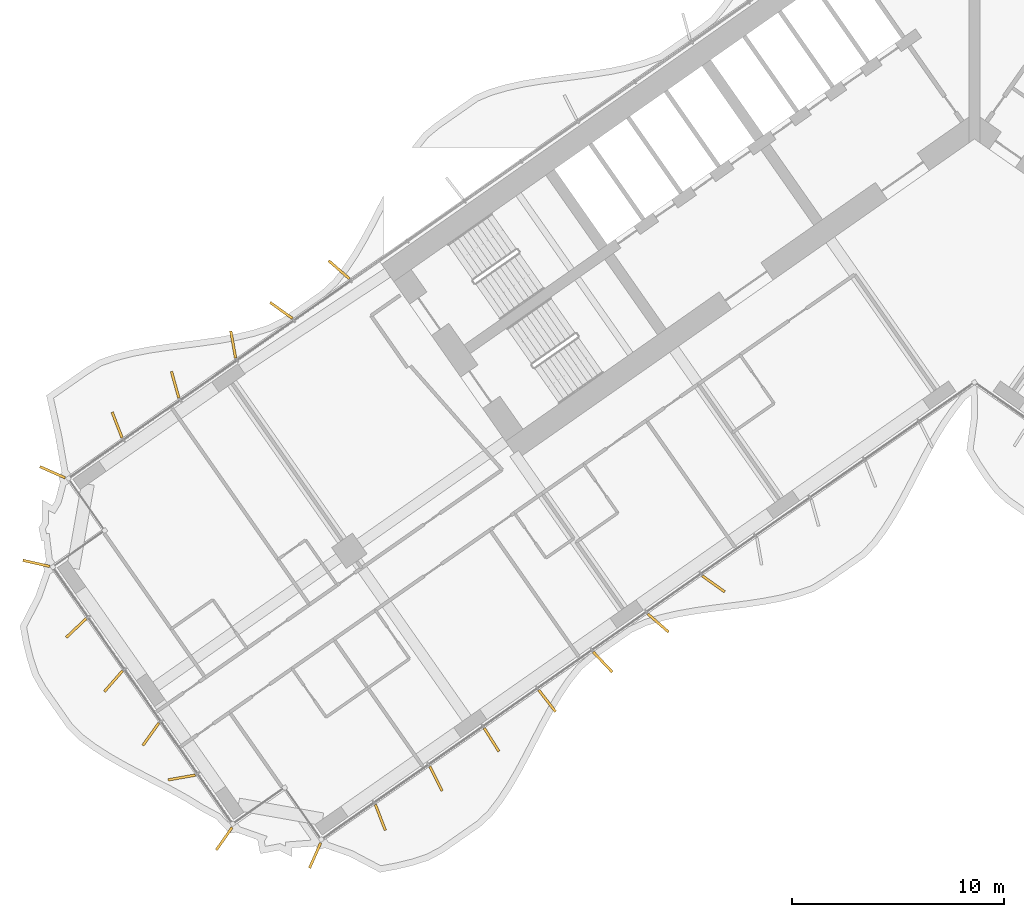
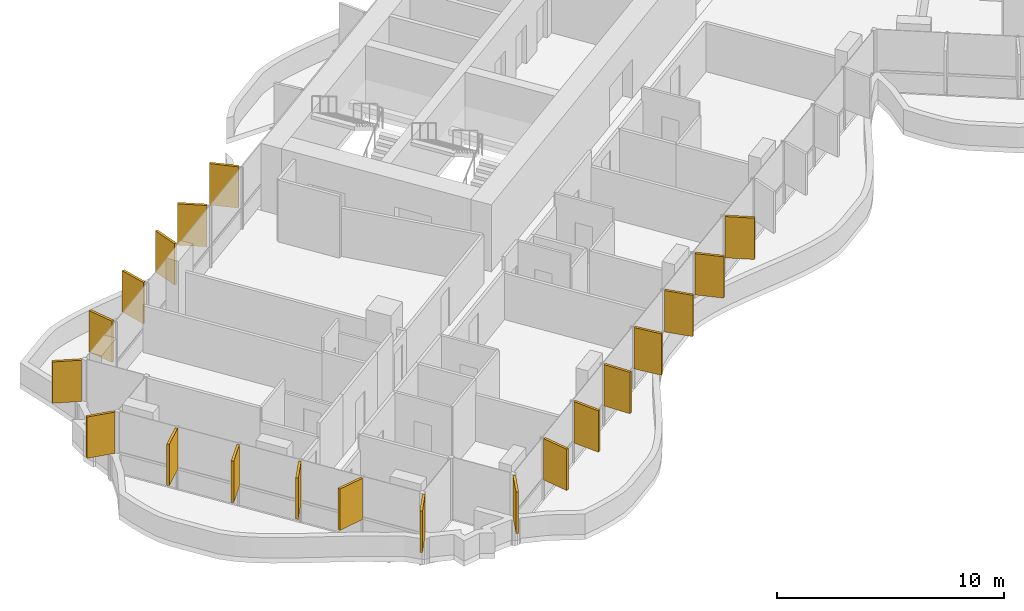
# One storey, part 19 of 24: 20 shading devices.
"""IFC4 building model written with IfcOpenShell, lengths in metres."""

from ifc_helpers import new_model, si_unit, direction, frame, origin, origin_2d, place, context, subcontext, project, spatial, rectangle, extrude, material, layer, layer_set, type_object, element, save


model = new_model("IFC4")

# Units and contexts
model_context = context("Model", 3, precision=1e-05, world=origin(), true_north=direction((0.0, 1.0)))
body_context = subcontext(model_context, "Body", "Model", "MODEL_VIEW")
ifc_project = project(units=[si_unit("LENGTHUNIT", "METRE"), si_unit("AREAUNIT", "SQUARE_METRE"), si_unit("VOLUMEUNIT", "CUBIC_METRE"), si_unit("PLANEANGLEUNIT", "RADIAN"), si_unit("MASSUNIT", "GRAM", prefix="KILO")], contexts=[model_context])

# Site, building, storey
site_placement = place(None, origin())
site = spatial("IfcSite", under=ifc_project, at=site_placement, CompositionType="ELEMENT")
building_placement = place(site_placement, origin())
building = spatial("IfcBuilding", under=site, at=building_placement, Name="Tel Ilan Convention Tower", CompositionType="ELEMENT")
storey_placement = place(building_placement, frame((0.0, 0.0, 68.89990234375)))
storey = spatial("IfcBuildingStorey", under=building, at=storey_placement, Name="L12", CompositionType="ELEMENT", Elevation=68.89990234375)

# Shading devices
ifc_material = material(Name="Aluminium, bronze anodised", Category="aluminium")
ifc_layer = layer(ifc_material, 0.1201171875)
ifc_layer_set = layer_set([ifc_layer], Name="FIN BRONZE 1300x120")
shading_device_type = type_object("IfcShadingDeviceType", Name="FIN BRONZE 1300x120", PredefinedType="USERDEFINED", material=ifc_layer_set)
for number, where, z_axis, x_axis, name in (
    (1, (-29.980712890625, -7.38720703125, 1.10009765625), (0.0, 0.0, 1.0), (-0.753435896329, 0.657521368568, 0.0), "FIN"),
    (2, (-32.703369140625, -9.308837890625, 1.10009765625), (0.0, 0.0, 1.0), (-0.813552070258, 0.581492071294, 0.0), "FIN"),
    (3, (-34.970703125, -10.919189453125, 1.10009765625), (0.0, 0.0, 1.0), (-0.173648177667, 0.984807753012, 0.0), "FIN"),
    (4, (-37.709228515625, -12.814208984375, 1.10009765625), (0.0, 0.0, 1.0), (-0.268172612768, 0.963370878614, 0.0), "FIN"),
    (5, (-40.4462890625, -14.71533203125, 1.10009765625), (0.0, 0.0, 1.0), (-0.360177724803, 0.932883704733, 0.0), "FIN"),
    (6, (-43.492431640625, -16.944091796875, 1.10009765625), (0.0, 0.0, 1.0), (-0.914332505315, 0.404964282034, 0.0), "FIN"),
    (7, (-44.25732421875, -21.243896484375, 1.10009765625), (0.0, 0.0, 1.0), (-0.975235208752, 0.221170268371, 0.0), "FIN"),
    (8, (-42.3798828125, -24.296142578125, 1.10009765625), (0.0, 0.0, 1.0), (-0.727373641577, -0.686241637865, 0.0), "FIN"),
    (9, (-40.618408203125, -26.800537109375, 1.10009765625), (0.0, 0.0, 1.0), (-0.657521368568, -0.753435896329, 0.0), "FIN"),
    (10, (-38.852783203125, -29.30029296875, 1.10009765625), (0.0, 0.0, 1.0), (-0.581492071294, -0.813552070258, 0.0), "FIN"),
    (11, (-37.398681640625, -31.344970703125, 1.10009765625), (0.0, 0.0, 1.0), (-0.984807753012, -0.173648177667, 0.0), "FIN"),
    (12, (-35.39453125, -34.232177734375, 1.10009765625), (0.0, 0.0, 1.0), (-0.573576436351, -0.819152044289, 0.0), "FIN"),
    (13, (-31.10498046875, -35.02001953125, 1.10009765625), (0.0, 0.0, 1.0), (-0.404964282034, -0.914332505315, 0.0), "FIN"),
    (14, (-28.02734375, -33.230224609375, 1.10009765625), (0.0, 0.0, 1.0), (0.360177724803, -0.932883704733, 0.0), "FIN"),
    (15, (-25.403076171875, -31.400634765625, 1.10009765625), (0.0, 0.0, 1.0), (0.448799180206, -0.893632640321, 0.0), "FIN"),
    (16, (-22.781494140625, -29.5654296875, 1.10009765625), (0.0, 0.0, 1.0), (0.533204432798, -0.845986425922, 0.0), "FIN"),
    (17, (-20.159912109375, -27.729736328125, 1.10009765625), (0.0, 0.0, 1.0), (0.612600545196, -0.790392669516, 0.0), "FIN"),
    (18, (-17.538818359375, -25.89404296875, 1.10009765625), (0.0, 0.0, 1.0), (0.686241637865, -0.727373641577, 0.0), "FIN"),
    (19, (-14.921875, -24.053955078125, 1.10009765625), (0.0, 0.0, 1.0), (0.753435896329, -0.657521368568, 0.0), "FIN"),
    (20, (-12.309814453125, -22.20947265625, 1.10009765625), (0.0, 0.0, 1.0), (0.813552070258, -0.581492071294, 0.0), "FIN"),
):
    element("IfcShadingDevice", number, at=place(storey_placement, frame(where, z_axis=z_axis, x_axis=x_axis)), inside=storey, type_object=shading_device_type, Name=name, ObjectType="FIN", PredefinedType="USERDEFINED", context=body_context, shape_type="SweptSolid", body=[
        extrude(rectangle(XDim=1.300048828125, YDim=0.1201171875, at=origin_2d()), origin(), (0.0, 0.0, 1.0), 2.219970703125),
    ])

save(model, "model.ifc")
